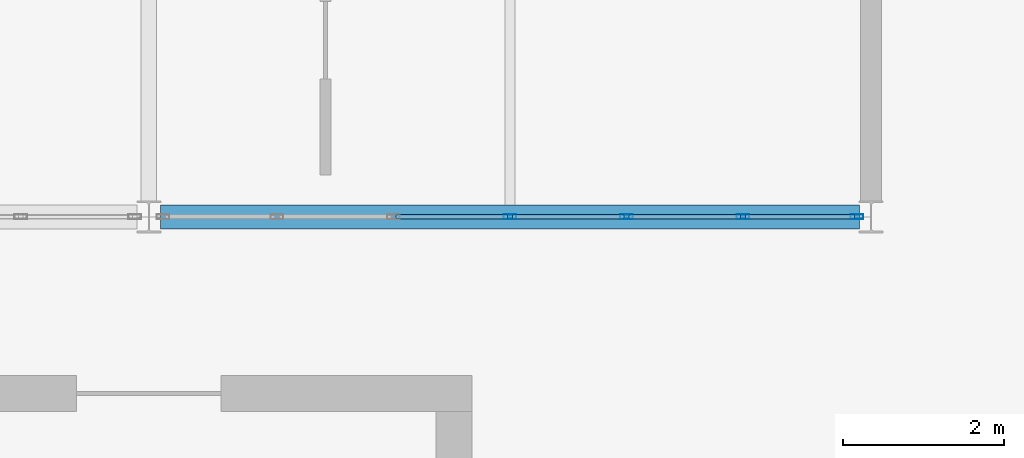
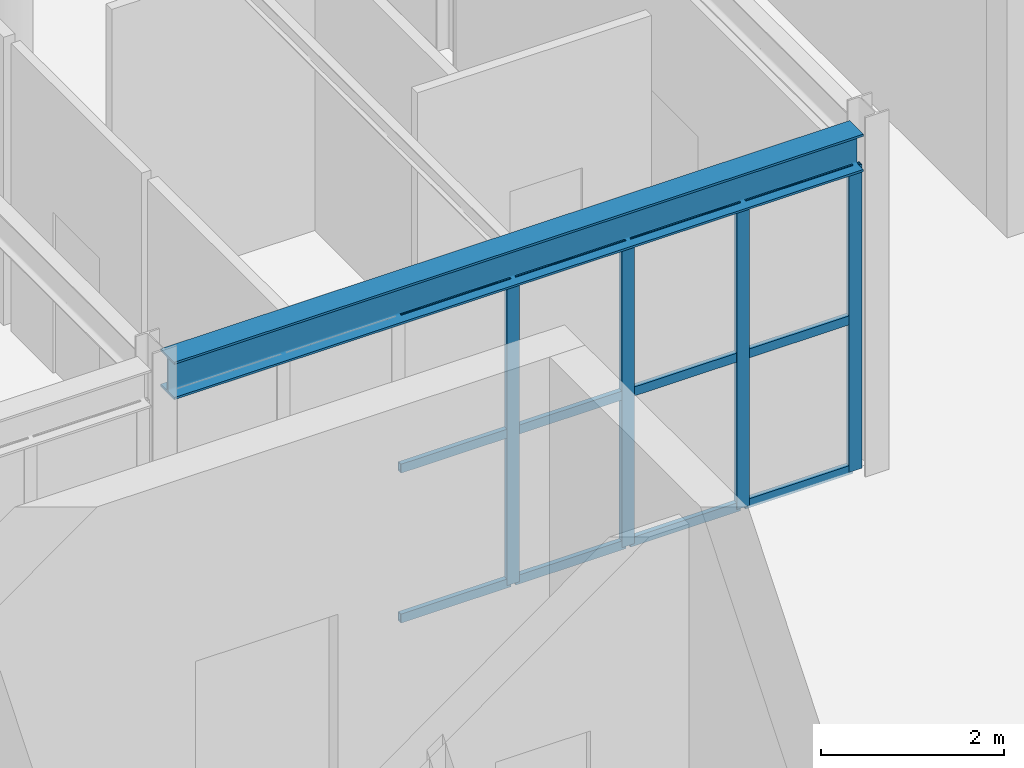
# One storey, part 6 of 29: 16 members, 1 beam, 1 element without a shape of its own.
"""IFC4 building model written with IfcOpenShell, lengths in metres."""

from ifc_helpers import new_model, si_unit, direction, frame, origin, origin_2d, place, context, subcontext, project, spatial, hollow_rectangle, i_section, extrude, material, layer, layer_set, material_profile, profile_set, type_object, element, aggregate, save


model = new_model("IFC4")

# Units and contexts
model_context = context("Model", 3, precision=1e-05, world=origin(), true_north=direction((0.0, 1.0)))
body_context = subcontext(model_context, "Body", "Model", "MODEL_VIEW")
ifc_project = project(units=[si_unit("LENGTHUNIT", "METRE"), si_unit("AREAUNIT", "SQUARE_METRE"), si_unit("VOLUMEUNIT", "CUBIC_METRE"), si_unit("PLANEANGLEUNIT", "RADIAN"), si_unit("MASSUNIT", "GRAM", prefix="KILO")], contexts=[model_context])

# Site, building, storey
site_placement = place(None, origin())
site = spatial("IfcSite", under=ifc_project, at=site_placement, CompositionType="ELEMENT")
building_placement = place(site_placement, origin())
building = spatial("IfcBuilding", under=site, at=building_placement, Name="Dornveld Trade and Exhibition Forum", CompositionType="ELEMENT")
storey_placement = place(building_placement, frame((0.0, 0.0, 21.60009765625)))
storey = spatial("IfcBuildingStorey", under=building, at=storey_placement, Name="L04", CompositionType="ELEMENT", Elevation=21.60009765625)

# Beam
ifc_material_1 = material(Name="Steel S355J2", Category="steel")
ifc_material_profile_1 = material_profile(ifc_material_1, i_section(OverallWidth=0.300048828125, OverallDepth=0.5, WebThickness=0.014404296875, FlangeThickness=0.028076171875, FilletRadius=0.027099609375, at=origin_2d()), Name="HEB 500")
ifc_profile_set_1 = profile_set([ifc_material_profile_1], Name="Steel S355J2")
beam_type = type_object("IfcBeamType", Name="BM-GIR-HEB500", PredefinedType="USERDEFINED", material=ifc_profile_set_1)
beam_placement = place(storey_placement, frame((126.14599609375, 63.0, 4.2998046875), z_axis=(1.0, 0.0, 0.0), x_axis=(0.0, 1.0, 0.0)))
element("IfcBeam", 1, at=beam_placement, inside=storey, type_object=beam_type, Name="L04 X-girder 1676", ObjectType="GIRDER", PredefinedType="USERDEFINED", context=body_context, shape_type="SweptSolid", body=[
    extrude(i_section(OverallWidth=0.300048828125, OverallDepth=0.5, WebThickness=0.014404296875, FlangeThickness=0.028076171875, FilletRadius=0.027099609375, at=origin_2d()), origin(), (0.0, 0.0, 1.0), 8.7080078125),
])

# Curtain wall, members
ifc_material_2 = material(Name="Dark-bronze anodised aluminium and low-E glass", Category="aluminium")
ifc_layer = layer(ifc_material_2, 0.15087890625)
ifc_layer_set = layer_set([ifc_layer], Name="Dark-bronze anodised aluminium and low-E glass")
curtain_wall_type = type_object("IfcCurtainWallType", Name="CW-SYS-03", PredefinedType="USERDEFINED", material=ifc_layer_set)
curtain_wall_placement = place(storey_placement, origin())
curtain_wall = element("IfcCurtainWall", 2, at=curtain_wall_placement, inside=storey, type_object=curtain_wall_type, Name="L04 unitised curtain wall 129", ObjectType="UNITISED_CURTAIN_WALL", PredefinedType="USERDEFINED")
ifc_material_3 = material(Name="Dark-bronze anodised aluminium", Category="aluminium")
ifc_material_profile_2 = material_profile(ifc_material_3, hollow_rectangle(XDim=0.06005859375, YDim=0.159912109375, WallThickness=0.00390625, at=origin_2d()), Name="RHS 160x60x4")
ifc_profile_set_2 = profile_set([ifc_material_profile_2], Name="Dark-bronze anodised aluminium")
member_type_1 = type_object("IfcMemberType", Name="CW-MUL-160", PredefinedType="MULLION", material=ifc_profile_set_2)
member_1_placement = place(storey_placement, frame((130.5, 63.0, -0.004150390625), z_axis=(0.0, 0.0, 1.0), x_axis=(0.0, 1.0, 0.0)))
member_1 = element("IfcMember", 3, at=member_1_placement, type_object=member_type_1, Name="CW-03 mullion 4", PredefinedType="MULLION", context=body_context, shape_type="SweptSolid", body=[
    extrude(hollow_rectangle(XDim=0.06005859375, YDim=0.159912109375, WallThickness=0.00390625, at=origin_2d()), origin(), (0.0, 0.0, 1.0), 4.06396484375),
])
member_2_placement = place(storey_placement, frame((131.951416015625, 63.0, -0.004150390625), z_axis=(0.0, 0.0, 1.0), x_axis=(0.0, 1.0, 0.0)))
member_2 = element("IfcMember", 4, at=member_2_placement, type_object=member_type_1, Name="CW-03 mullion 5", PredefinedType="MULLION", context=body_context, shape_type="SweptSolid", body=[
    extrude(hollow_rectangle(XDim=0.06005859375, YDim=0.159912109375, WallThickness=0.00390625, at=origin_2d()), origin(), (0.0, 0.0, 1.0), 4.06396484375),
])
member_3_placement = place(storey_placement, frame((133.402587890625, 63.0, -0.004150390625), z_axis=(0.0, 0.0, 1.0), x_axis=(0.0, 1.0, 0.0)))
member_3 = element("IfcMember", 5, at=member_3_placement, type_object=member_type_1, Name="CW-03 mullion 6", PredefinedType="MULLION", context=body_context, shape_type="SweptSolid", body=[
    extrude(hollow_rectangle(XDim=0.06005859375, YDim=0.159912109375, WallThickness=0.00390625, at=origin_2d()), origin(), (0.0, 0.0, 1.0), 4.06396484375),
])
member_4_placement = place(storey_placement, frame((134.823974609375, 63.0, -0.004150390625), z_axis=(0.0, 0.0, 1.0), x_axis=(0.0, 1.0, 0.0)))
member_4 = element("IfcMember", 6, at=member_4_placement, type_object=member_type_1, Name="CW-03 mullion 7", PredefinedType="MULLION", context=body_context, shape_type="SweptSolid", body=[
    extrude(hollow_rectangle(XDim=0.06005859375, YDim=0.159912109375, WallThickness=0.00390625, at=origin_2d()), origin(), (0.0, 0.0, 1.0), 4.06396484375),
])
ifc_material_4 = material(Name="Dark-bronze anodised aluminium", Category="aluminium")
ifc_material_profile_3 = material_profile(ifc_material_4, hollow_rectangle(XDim=0.06005859375, YDim=0.1201171875, WallThickness=0.00390625, at=origin_2d()), Name="RHS 120x60x4")
ifc_profile_set_3 = profile_set([ifc_material_profile_3], Name="Dark-bronze anodised aluminium")
member_type_2 = type_object("IfcMemberType", Name="CW-TRN-120", PredefinedType="USERDEFINED", material=ifc_profile_set_3)
member_5_placement = place(storey_placement, frame((129.07861328125, 63.0, 0.02587890625), z_axis=(1.0, 0.0, 0.0), x_axis=(0.0, 1.0, 0.0)))
member_5 = element("IfcMember", 7, at=member_5_placement, type_object=member_type_2, Name="CW-03 transom 3.1", ObjectType="TRANSOM", PredefinedType="USERDEFINED", context=body_context, shape_type="SweptSolid", body=[
    extrude(hollow_rectangle(XDim=0.06005859375, YDim=0.1201171875, WallThickness=0.00390625, at=origin_2d()), origin(), (0.0, 0.0, 1.0), 1.391357421875),
])
member_6_placement = place(storey_placement, frame((129.07861328125, 63.0, 2.02783203125), z_axis=(1.0, 0.0, 0.0), x_axis=(0.0, 1.0, 0.0)))
member_6 = element("IfcMember", 8, at=member_6_placement, type_object=member_type_2, Name="CW-03 transom 3.2", ObjectType="TRANSOM", PredefinedType="USERDEFINED", context=body_context, shape_type="SweptSolid", body=[
    extrude(hollow_rectangle(XDim=0.06005859375, YDim=0.1201171875, WallThickness=0.00390625, at=origin_2d()), origin(), (0.0, 0.0, 1.0), 1.391357421875),
])
member_7_placement = place(storey_placement, frame((129.07861328125, 63.0, 4.02978515625), z_axis=(1.0, 0.0, 0.0), x_axis=(0.0, 1.0, 0.0)))
member_7 = element("IfcMember", 9, at=member_7_placement, type_object=member_type_2, Name="CW-03 transom 3.3", ObjectType="TRANSOM", PredefinedType="USERDEFINED", context=body_context, shape_type="SweptSolid", body=[
    extrude(hollow_rectangle(XDim=0.06005859375, YDim=0.1201171875, WallThickness=0.00390625, at=origin_2d()), origin(), (0.0, 0.0, 1.0), 1.391357421875),
])
member_8_placement = place(storey_placement, frame((130.530029296875, 63.0, 0.02587890625), z_axis=(1.0, 0.0, 0.0), x_axis=(0.0, 1.0, 0.0)))
member_8 = element("IfcMember", 10, at=member_8_placement, type_object=member_type_2, Name="CW-03 transom 4.1", ObjectType="TRANSOM", PredefinedType="USERDEFINED", context=body_context, shape_type="SweptSolid", body=[
    extrude(hollow_rectangle(XDim=0.06005859375, YDim=0.1201171875, WallThickness=0.00390625, at=origin_2d()), origin(), (0.0, 0.0, 1.0), 1.391357421875),
])
member_9_placement = place(storey_placement, frame((130.530029296875, 63.0, 2.02783203125), z_axis=(1.0, 0.0, 0.0), x_axis=(0.0, 1.0, 0.0)))
member_9 = element("IfcMember", 11, at=member_9_placement, type_object=member_type_2, Name="CW-03 transom 4.2", ObjectType="TRANSOM", PredefinedType="USERDEFINED", context=body_context, shape_type="SweptSolid", body=[
    extrude(hollow_rectangle(XDim=0.06005859375, YDim=0.1201171875, WallThickness=0.00390625, at=origin_2d()), origin(), (0.0, 0.0, 1.0), 1.391357421875),
])
member_10_placement = place(storey_placement, frame((130.530029296875, 63.0, 4.02978515625), z_axis=(1.0, 0.0, 0.0), x_axis=(0.0, 1.0, 0.0)))
member_10 = element("IfcMember", 12, at=member_10_placement, type_object=member_type_2, Name="CW-03 transom 4.3", ObjectType="TRANSOM", PredefinedType="USERDEFINED", context=body_context, shape_type="SweptSolid", body=[
    extrude(hollow_rectangle(XDim=0.06005859375, YDim=0.1201171875, WallThickness=0.00390625, at=origin_2d()), origin(), (0.0, 0.0, 1.0), 1.391357421875),
])
member_11_placement = place(storey_placement, frame((131.9814453125, 63.0, 0.02587890625), z_axis=(1.0, 0.0, 0.0), x_axis=(0.0, 1.0, 0.0)))
member_11 = element("IfcMember", 13, at=member_11_placement, type_object=member_type_2, Name="CW-03 transom 5.1", ObjectType="TRANSOM", PredefinedType="USERDEFINED", context=body_context, shape_type="SweptSolid", body=[
    extrude(hollow_rectangle(XDim=0.06005859375, YDim=0.1201171875, WallThickness=0.00390625, at=origin_2d()), origin(), (0.0, 0.0, 1.0), 1.39111328125),
])
member_12_placement = place(storey_placement, frame((131.9814453125, 63.0, 2.02783203125), z_axis=(1.0, 0.0, 0.0), x_axis=(0.0, 1.0, 0.0)))
member_12 = element("IfcMember", 14, at=member_12_placement, type_object=member_type_2, Name="CW-03 transom 5.2", ObjectType="TRANSOM", PredefinedType="USERDEFINED", context=body_context, shape_type="SweptSolid", body=[
    extrude(hollow_rectangle(XDim=0.06005859375, YDim=0.1201171875, WallThickness=0.00390625, at=origin_2d()), origin(), (0.0, 0.0, 1.0), 1.39111328125),
])
member_13_placement = place(storey_placement, frame((131.9814453125, 63.0, 4.02978515625), z_axis=(1.0, 0.0, 0.0), x_axis=(0.0, 1.0, 0.0)))
member_13 = element("IfcMember", 15, at=member_13_placement, type_object=member_type_2, Name="CW-03 transom 5.3", ObjectType="TRANSOM", PredefinedType="USERDEFINED", context=body_context, shape_type="SweptSolid", body=[
    extrude(hollow_rectangle(XDim=0.06005859375, YDim=0.1201171875, WallThickness=0.00390625, at=origin_2d()), origin(), (0.0, 0.0, 1.0), 1.39111328125),
])
member_14_placement = place(storey_placement, frame((133.4326171875, 63.0, 0.02587890625), z_axis=(1.0, 0.0, 0.0), x_axis=(0.0, 1.0, 0.0)))
member_14 = element("IfcMember", 16, at=member_14_placement, type_object=member_type_2, Name="CW-03 transom 6.1", ObjectType="TRANSOM", PredefinedType="USERDEFINED", context=body_context, shape_type="SweptSolid", body=[
    extrude(hollow_rectangle(XDim=0.06005859375, YDim=0.1201171875, WallThickness=0.00390625, at=origin_2d()), origin(), (0.0, 0.0, 1.0), 1.361328125),
])
member_15_placement = place(storey_placement, frame((133.4326171875, 63.0, 2.02783203125), z_axis=(1.0, 0.0, 0.0), x_axis=(0.0, 1.0, 0.0)))
member_15 = element("IfcMember", 17, at=member_15_placement, type_object=member_type_2, Name="CW-03 transom 6.2", ObjectType="TRANSOM", PredefinedType="USERDEFINED", context=body_context, shape_type="SweptSolid", body=[
    extrude(hollow_rectangle(XDim=0.06005859375, YDim=0.1201171875, WallThickness=0.00390625, at=origin_2d()), origin(), (0.0, 0.0, 1.0), 1.361328125),
])
member_16_placement = place(storey_placement, frame((133.4326171875, 63.0, 4.02978515625), z_axis=(1.0, 0.0, 0.0), x_axis=(0.0, 1.0, 0.0)))
member_16 = element("IfcMember", 18, at=member_16_placement, type_object=member_type_2, Name="CW-03 transom 6.3", ObjectType="TRANSOM", PredefinedType="USERDEFINED", context=body_context, shape_type="SweptSolid", body=[
    extrude(hollow_rectangle(XDim=0.06005859375, YDim=0.1201171875, WallThickness=0.00390625, at=origin_2d()), origin(), (0.0, 0.0, 1.0), 1.361328125),
])
aggregate(curtain_wall, [member_1, member_2, member_3, member_4, member_5, member_6, member_7, member_8, member_9, member_10, member_11, member_12, member_13, member_14, member_15, member_16])

save(model, "model.ifc")
